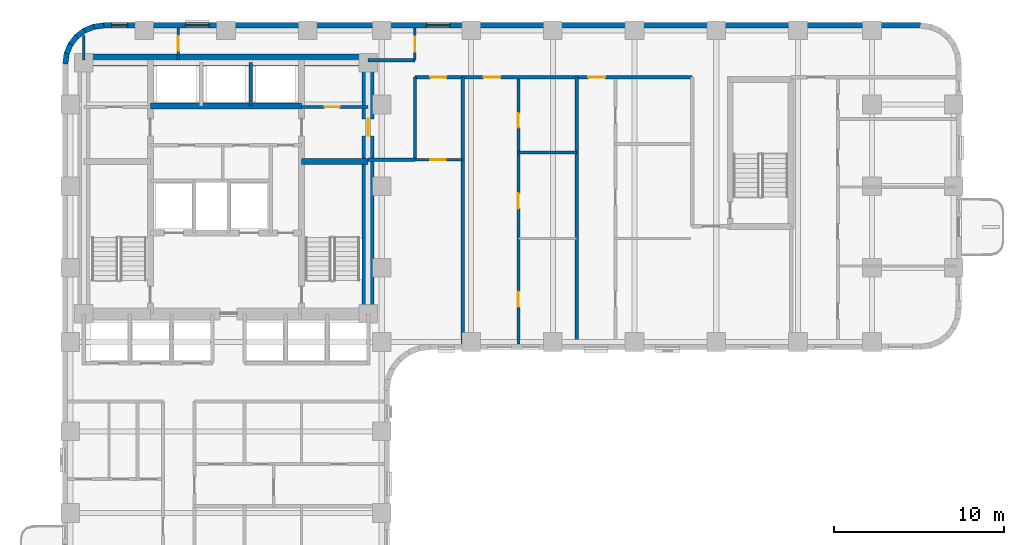
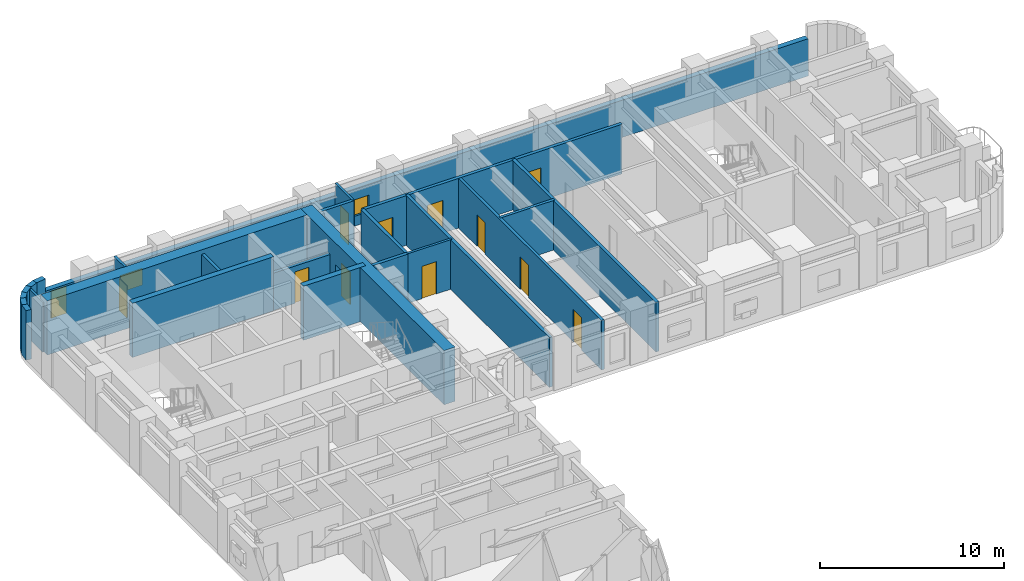
# One storey, part 6 of 11: 25 walls, 11 doors, 3 windows, 14 openings.
"""IFC4 building model written with IfcOpenShell, lengths in metres."""

from ifc_helpers import new_model, si_unit, direction, frame, frame_2d, origin, place, context, subcontext, project, spatial, rectangle, extrude, material, layer, layer_set, type_object, element, fill, save


model = new_model("IFC4")

# Units and contexts
model_context = context("Model", 3, precision=1e-05, world=origin(), true_north=direction((0.0, 1.0)))
body_context = subcontext(model_context, "Body", "Model", "MODEL_VIEW")
ifc_project = project(units=[si_unit("LENGTHUNIT", "METRE"), si_unit("AREAUNIT", "SQUARE_METRE"), si_unit("VOLUMEUNIT", "CUBIC_METRE"), si_unit("PLANEANGLEUNIT", "RADIAN"), si_unit("MASSUNIT", "GRAM", prefix="KILO")], contexts=[model_context])

# Site, building, storey
site_placement = place(None, origin())
site = spatial("IfcSite", under=ifc_project, at=site_placement, CompositionType="ELEMENT")
building_placement = place(site_placement, origin())
building = spatial("IfcBuilding", under=site, at=building_placement, Name="Orvandelia Arch Residences", CompositionType="ELEMENT")
storey_placement = place(building_placement, frame((0.0, 0.0, 93.39990234375)))
storey = spatial("IfcBuildingStorey", under=building, at=storey_placement, Name="L24", CompositionType="ELEMENT", Elevation=93.39990234375)

# Walls
ifc_material_1 = material(Name="Concrete C50/60", Category="concrete")
ifc_layer_1 = layer(ifc_material_1, 0.35009765625, Name="Concrete C50/60", Category="concrete")
ifc_layer_set_1 = layer_set([ifc_layer_1], Name="Concrete C50/60")
wall_type_1 = type_object("IfcWallType", Name="WL-CORE-350", PredefinedType="SHEAR", material=ifc_layer_set_1)
wall_1_placement = place(storey_placement, frame((18.840087890625, 39.85009765625, 0.0), z_axis=(0.0, 0.0, 1.0), x_axis=(1.0, 0.0, 0.0)))
element("IfcWall", 1, at=wall_1_placement, inside=storey, type_object=wall_type_1, Name="Core Shear Wall L24-HZ2", PredefinedType="SHEAR", context=body_context, shape_type="SweptSolid", body=[
    extrude(rectangle(XDim=3.909912109375, YDim=0.35009765625, at=frame_2d((1.955078125, 0.0))), origin(), (0.0, 0.0, 1.0), 3.60009765625),
])
wall_2_placement = place(storey_placement, frame((9.9599609375, 43.10009765625, 0.0), z_axis=(0.0, 0.0, 1.0), x_axis=(1.0, 0.0, 0.0)))
element("IfcWall", 2, at=wall_2_placement, inside=storey, type_object=wall_type_1, Name="Core Shear Wall L24-HZ4", PredefinedType="SHEAR", context=body_context, shape_type="SweptSolid", body=[
    extrude(rectangle(XDim=8.880126953125, YDim=0.35009765625, at=frame_2d((4.43994140625, 0.0))), origin(), (0.0, 0.0, 1.0), 3.60009765625),
])

# Wall, opening, door
ifc_material_2 = material(Name="Concrete C80/95", Category="concrete")
ifc_layer_2 = layer(ifc_material_2, 0.699951171875, Name="Concrete C80/95", Category="concrete")
ifc_layer_set_2 = layer_set([ifc_layer_2], Name="Concrete C80/95")
wall_type_2 = type_object("IfcWallType", Name="WL-CORE-700", PredefinedType="SHEAR", material=ifc_layer_set_2)
wall_3_placement = place(storey_placement, frame((22.75, 30.550048828125, 0.0), z_axis=(0.0, 0.0, 1.0), x_axis=(0.0, 1.0, 0.0)))
wall_3 = element("IfcWall", 3, at=wall_3_placement, inside=storey, type_object=wall_type_2, Name="Core Shear Wall L24-E", PredefinedType="SHEAR", context=body_context, shape_type="SweptSolid", body=[
    extrude(rectangle(XDim=15.599853515625, YDim=0.699951171875, at=frame_2d((7.7998046875, 0.0))), origin(), (0.0, 0.0, 1.0), 3.60009765625),
])
opening_1_placement = place(wall_3_placement, frame((10.800048828125, 0.0, 0.0)))
opening_1 = element("IfcOpeningElement", 4, at=opening_1_placement, cuts=wall_3, Name="Opening D6", PredefinedType="OPENING", context=body_context, shape_type="SweptSolid", body=[
    extrude(rectangle(XDim=1.0, YDim=2.14990234375, at=frame_2d((0.5, 1.074951171875))), frame((0.0, 0.35986328125, 0.0), z_axis=(0.0, -1.0, 0.0), x_axis=(1.0, 0.0, 0.0)), (0.0, 0.0, 1.0), 0.719970703125),
])
ifc_material_3 = material(Name="Smokeproof Painted Steel Fire Door", Category="steel")
door_type_1 = type_object("IfcDoorType", Name="DR-FD60-1000", OperationType="NOTDEFINED", PredefinedType="DOOR", material=ifc_material_3)
door_1_placement = place(opening_1_placement, origin())
door_1 = element("IfcDoor", 5, at=door_1_placement, inside=storey, type_object=door_type_1, Name="Core East Corridor Link Door L24", OperationType="SINGLE_SWING_LEFT", OverallHeight=2.14990234375, OverallWidth=1.0, PredefinedType="DOOR", context=body_context, shape_type="SweptSolid", body=[
    extrude(rectangle(XDim=1.0, YDim=2.14990234375, at=frame_2d((0.5, 1.074951171875))), frame((0.0, 0.02490234375, 0.0), z_axis=(0.0, -1.0, 0.0), x_axis=(1.0, 0.0, 0.0)), (0.0, 0.0, 1.0), 0.050048828125),
])
fill(opening_1, door_1)

# Walls
wall_4_placement = place(storey_placement, frame((6.050048828125, 45.800048828125, 0.0), z_axis=(0.0, 0.0, 1.0), x_axis=(1.0, 0.0, 0.0)))
element("IfcWall", 6, at=wall_4_placement, inside=storey, type_object=wall_type_2, Name="Core Shear Wall L24-N", PredefinedType="SHEAR", context=body_context, shape_type="SweptSolid", body=[
    extrude(rectangle(XDim=16.699951171875, YDim=0.699951171875, at=frame_2d((8.35009765625, 0.0))), origin(), (0.0, 0.0, 1.0), 3.60009765625),
])
ifc_material_4 = material(Name="Fire-Rated Corridor Partition")
ifc_layer_3 = layer(ifc_material_4, 0.199951171875, Name="Fire-Rated Corridor Partition")
ifc_layer_set_3 = layer_set([ifc_layer_3], Name="Fire-Rated Corridor Partition")
wall_type_3 = type_object("IfcWallType", Name="WL-CORR-200", PredefinedType="PARTITIONING", material=ifc_layer_set_3)
wall_5_placement = place(storey_placement, frame((22.75, 45.800048828125, 0.0), z_axis=(0.0, 0.0, 1.0), x_axis=(1.0, 0.0, 0.0)))
element("IfcWall", 7, at=wall_5_placement, inside=storey, type_object=wall_type_3, Name="Interior Partition Wall WL-L24-NCE-S", PredefinedType="PARTITIONING", context=body_context, shape_type="SweptSolid", body=[
    extrude(rectangle(XDim=2.75, YDim=0.199951171875, at=frame_2d((1.375, 0.0))), origin(), (0.0, 0.0, 1.0), 3.300048828125),
])

# Wall, openings, doors
wall_6_placement = place(storey_placement, frame((25.5, 44.800048828125, 0.0), z_axis=(0.0, 0.0, 1.0), x_axis=(1.0, 0.0, 0.0)))
wall_6 = element("IfcWall", 8, at=wall_6_placement, inside=storey, type_object=wall_type_3, Name="Interior Partition Wall WL-L24-EN2-S1", PredefinedType="PARTITIONING", context=body_context, shape_type="SweptSolid", body=[
    extrude(rectangle(XDim=16.280029296875, YDim=0.199951171875, at=frame_2d((8.14013671875, 0.0))), origin(), (0.0, 0.0, 1.0), 3.300048828125),
])
opening_2_placement = place(wall_6_placement, frame((0.89990234375, 0.0, 0.0)))
opening_2 = element("IfcOpeningElement", 9, at=opening_2_placement, cuts=wall_6, Name="Opening D2", PredefinedType="OPENING", context=body_context, shape_type="SweptSolid", body=[
    extrude(rectangle(XDim=0.949951171875, YDim=2.14990234375, at=frame_2d((0.47509765625, 1.074951171875))), frame((0.0, 0.10986328125, 0.0), z_axis=(0.0, -1.0, 0.0), x_axis=(1.0, 0.0, 0.0)), (0.0, 0.0, 1.0), 0.219970703125),
])
opening_3_placement = place(wall_6_placement, frame((4.035400390625, 0.0, 0.0)))
opening_3 = element("IfcOpeningElement", 10, at=opening_3_placement, cuts=wall_6, Name="Opening D1", PredefinedType="OPENING", context=body_context, shape_type="SweptSolid", body=[
    extrude(rectangle(XDim=0.97998046875, YDim=2.179931640625, at=frame_2d((0.489990234375, 1.08984375))), frame((0.0, 0.10986328125, 0.0), z_axis=(0.0, -1.0, 0.0), x_axis=(1.0, 0.0, 0.0)), (0.0, 0.0, 1.0), 0.219970703125),
])
opening_4_placement = place(wall_6_placement, frame((10.18994140625, 0.0, 0.0)))
opening_4 = element("IfcOpeningElement", 11, at=opening_4_placement, cuts=wall_6, Name="Opening D1", PredefinedType="OPENING", context=body_context, shape_type="SweptSolid", body=[
    extrude(rectangle(XDim=0.97998046875, YDim=2.179931640625, at=frame_2d((0.489990234375, 1.08984375))), frame((0.0, 0.10986328125, 0.0), z_axis=(0.0, -1.0, 0.0), x_axis=(1.0, 0.0, 0.0)), (0.0, 0.0, 1.0), 0.219970703125),
])
ifc_material_5 = material(Name="Solid-Core Timber Interior Fire Door", Category="wood")
door_type_2 = type_object("IfcDoorType", Name="DR-APT-950", OperationType="NOTDEFINED", PredefinedType="DOOR", material=ifc_material_5)
door_2_placement = place(opening_2_placement, origin())
door_2 = element("IfcDoor", 12, at=door_2_placement, inside=storey, type_object=door_type_2, Name="DR-L24-EN2KLD", OperationType="SINGLE_SWING_LEFT", OverallHeight=2.14990234375, OverallWidth=0.949951171875, PredefinedType="DOOR", context=body_context, shape_type="SweptSolid", body=[
    extrude(rectangle(XDim=0.949951171875, YDim=2.14990234375, at=frame_2d((0.47509765625, 1.074951171875))), frame((0.0, 0.02490234375, 0.0), z_axis=(0.0, -1.0, 0.0), x_axis=(1.0, 0.0, 0.0)), (0.0, 0.0, 1.0), 0.050048828125),
])
fill(opening_2, door_2)
ifc_material_6 = material(Name="Solid-Core Timber Acoustic Fire Door", Category="wood")
door_type_3 = type_object("IfcDoorType", Name="DR-ENT-980", OperationType="NOTDEFINED", PredefinedType="DOOR", material=ifc_material_6)
door_3_placement = place(opening_3_placement, origin())
door_3 = element("IfcDoor", 13, at=door_3_placement, inside=storey, type_object=door_type_3, Name="Unit L24-06 Entrance Door", OperationType="SINGLE_SWING_RIGHT", OverallHeight=2.179931640625, OverallWidth=0.97998046875, PredefinedType="DOOR", context=body_context, shape_type="SweptSolid", body=[
    extrude(rectangle(XDim=0.97998046875, YDim=2.179931640625, at=frame_2d((0.489990234375, 1.08984375))), frame((0.0, 0.02490234375, 0.0), z_axis=(0.0, -1.0, 0.0), x_axis=(1.0, 0.0, 0.0)), (0.0, 0.0, 1.0), 0.050048828125),
])
fill(opening_3, door_3)
door_4_placement = place(opening_4_placement, origin())
door_4 = element("IfcDoor", 14, at=door_4_placement, inside=storey, type_object=door_type_3, Name="Unit L24-07 Entrance Door", OperationType="SINGLE_SWING_LEFT", OverallHeight=2.179931640625, OverallWidth=0.97998046875, PredefinedType="DOOR", context=body_context, shape_type="SweptSolid", body=[
    extrude(rectangle(XDim=0.97998046875, YDim=2.179931640625, at=frame_2d((0.489990234375, 1.08984375))), frame((0.0, 0.02490234375, 0.0), z_axis=(0.0, -1.0, 0.0), x_axis=(1.0, 0.0, 0.0)), (0.0, 0.0, 1.0), 0.050048828125),
])
fill(opening_4, door_4)

# Walls
wall_7_placement = place(storey_placement, frame((25.5, 39.949951171875, 0.0), z_axis=(0.0, 0.0, 1.0), x_axis=(0.0, 1.0, 0.0)))
element("IfcWall", 15, at=wall_7_placement, inside=storey, type_object=wall_type_3, Name="Interior Partition Wall WL-L24-EN2-LW", PredefinedType="PARTITIONING", context=body_context, shape_type="SweptSolid", body=[
    extrude(rectangle(XDim=4.85009765625, YDim=0.199951171875, at=frame_2d((2.425048828125, 0.0))), origin(), (0.0, 0.0, 1.0), 3.300048828125),
])
wall_8_placement = place(storey_placement, frame((22.75, 39.949951171875, 0.0), z_axis=(0.0, 0.0, 1.0), x_axis=(1.0, 0.0, 0.0)))
element("IfcWall", 16, at=wall_8_placement, inside=storey, type_object=wall_type_3, Name="Interior Partition Wall WL-L24-EN2-LS", PredefinedType="PARTITIONING", context=body_context, shape_type="SweptSolid", body=[
    extrude(rectangle(XDim=2.75, YDim=0.199951171875, at=frame_2d((1.375, 0.0))), origin(), (0.0, 0.0, 1.0), 3.300048828125),
])
ifc_material_7 = material(Name="Concrete C40/50", Category="concrete")
ifc_layer_4 = layer(ifc_material_7, 0.199951171875, Name="Concrete C40/50", Category="concrete")
ifc_layer_set_4 = layer_set([ifc_layer_4], Name="Concrete C40/50")
wall_type_4 = type_object("IfcWallType", Name="WL-DEM-200", PredefinedType="SOLIDWALL", material=ifc_layer_set_4)
for number, where, z_axis, x_axis, name in (
    (17, (28.300048828125, 29.1201171875, 0.0), (0.0, 0.0, 1.0), (0.0, 1.0, 0.0), "Interior Partition Wall WL-L24-EN2-KLE"),
    (18, (35.0, 29.1201171875, 0.0), (0.0, 0.0, 1.0), (0.0, 1.0, 0.0), "Interior Partition Wall WL-L24-DEM-EN2-350"),
):
    element("IfcWall", number, at=place(storey_placement, frame(where, z_axis=z_axis, x_axis=x_axis)), inside=storey, type_object=wall_type_4, Name=name, PredefinedType="SOLIDWALL", context=body_context, shape_type="SweptSolid", body=[
        extrude(rectangle(XDim=15.679931640625, YDim=0.199951171875, at=frame_2d((7.83984375, 0.0))), origin(), (0.0, 0.0, 1.0), 3.300048828125),
    ])
ifc_material_8 = material(Name="Precast concrete C40/50", Category="concrete")
ifc_layer_5 = layer(ifc_material_8, 0.320068359375, Name="Precast concrete C40/50", Category="concrete")
ifc_layer_set_5 = layer_set([ifc_layer_5], Name="Precast concrete C40/50")
wall_type_5 = type_object("IfcWallType", Name="WL-EXT-STONE-320", PredefinedType="STANDARD", material=ifc_layer_set_5)
for number, where, z_axis, x_axis, name in (
    (19, (4.95849609375, 45.5791015625, 0.0), (0.0, 0.0, 1.0), (0.130555323746, 0.9914410257, 0.0), "Coral-Limestone Precast Facade Wall L24-001"),
    (20, (5.029541015625, 46.159912109375, 0.0), (0.0, 0.0, 1.0), (0.382650053678, 0.92389335771, 0.0), "Coral-Limestone Precast Facade Wall L24-002"),
):
    element("IfcWall", number, at=place(storey_placement, frame(where, z_axis=z_axis, x_axis=x_axis)), inside=storey, type_object=wall_type_5, Name=name, PredefinedType="STANDARD", context=body_context, shape_type="SweptSolid", body=[
        extrude(rectangle(XDim=0.62646484375, YDim=0.320068359375, at=frame_2d((0.313232421875, 0.0))), origin(), (0.0, 0.0, 1.0), 3.300048828125),
    ])
wall_9_placement = place(storey_placement, frame((5.248291015625, 46.70263671875, 0.0), z_axis=(0.0, 0.0, 1.0), x_axis=(0.608938521285, 0.7932174212, 0.0)))
element("IfcWall", 21, at=wall_9_placement, inside=storey, type_object=wall_type_5, Name="Coral-Limestone Precast Facade Wall L24-003", PredefinedType="STANDARD", context=body_context, shape_type="SweptSolid", body=[
    extrude(rectangle(XDim=0.626708984375, YDim=0.320068359375, at=frame_2d((0.3134765625, 0.0))), origin(), (0.0, 0.0, 1.0), 3.300048828125),
])
wall_10_placement = place(storey_placement, frame((5.600341796875, 47.170166015625, 0.0), z_axis=(0.0, 0.0, 1.0), x_axis=(0.793405610854, 0.608693302629, 0.0)))
element("IfcWall", 22, at=wall_10_placement, inside=storey, type_object=wall_type_5, Name="Coral-Limestone Precast Facade Wall L24-004", PredefinedType="STANDARD", context=body_context, shape_type="SweptSolid", body=[
    extrude(rectangle(XDim=0.62646484375, YDim=0.320068359375, at=frame_2d((0.313232421875, 0.0))), origin(), (0.0, 0.0, 1.0), 3.300048828125),
])
wall_11_placement = place(storey_placement, frame((6.061279296875, 47.53076171875, 0.0), z_axis=(0.0, 0.0, 1.0), x_axis=(0.923836271867, 0.382787856107, 0.0)))
element("IfcWall", 23, at=wall_11_placement, inside=storey, type_object=wall_type_5, Name="Coral-Limestone Precast Facade Wall L24-005", PredefinedType="STANDARD", context=body_context, shape_type="SweptSolid", body=[
    extrude(rectangle(XDim=0.626220703125, YDim=0.320068359375, at=frame_2d((0.31298828125, 0.0))), origin(), (0.0, 0.0, 1.0), 3.300048828125),
])
wall_12_placement = place(storey_placement, frame((6.599609375, 47.759521484375, 0.0), z_axis=(0.0, 0.0, 1.0), x_axis=(0.991447664465, 0.130504898859, 0.0)))
element("IfcWall", 24, at=wall_12_placement, inside=storey, type_object=wall_type_5, Name="Coral-Limestone Precast Facade Wall L24-006", PredefinedType="STANDARD", context=body_context, shape_type="SweptSolid", body=[
    extrude(rectangle(XDim=0.626708984375, YDim=0.320068359375, at=frame_2d((0.3134765625, 0.0))), origin(), (0.0, 0.0, 1.0), 3.300048828125),
])

# Wall, openings, windows
wall_13_placement = place(storey_placement, frame((7.199951171875, 47.840087890625, 0.0), z_axis=(0.0, 0.0, 1.0), x_axis=(1.0, 0.0, 0.0)))
wall_13 = element("IfcWall", 25, at=wall_13_placement, inside=storey, type_object=wall_type_5, Name="Coral-Limestone Precast Facade Wall L24-007", PredefinedType="STANDARD", context=body_context, shape_type="SweptSolid", body=[
    extrude(rectangle(XDim=48.0, YDim=0.320068359375, at=frame_2d((24.0, 0.0))), origin(), (0.0, 0.0, 1.0), 2.47998046875),
])
opening_5_placement = place(wall_13_placement, frame((18.965087890625, 0.0, 0.64990234375)))
opening_5 = element("IfcOpeningElement", 26, at=opening_5_placement, cuts=wall_13, Name="Opening W10", PredefinedType="OPENING", context=body_context, shape_type="SweptSolid", body=[
    extrude(rectangle(XDim=1.39990234375, YDim=1.10009765625, at=frame_2d((0.699951171875, 0.550048828125))), frame((0.0, 0.169921875, 0.0), z_axis=(0.0, -1.0, 0.0), x_axis=(1.0, 0.0, 0.0)), (0.0, 0.0, 1.0), 0.340087890625),
])
opening_6_placement = place(wall_13_placement, frame((0.469970703125, 0.0, 0.449951171875)))
opening_6 = element("IfcOpeningElement", 27, at=opening_6_placement, cuts=wall_13, Name="Opening W4", PredefinedType="OPENING", context=body_context, shape_type="SweptSolid", body=[
    extrude(rectangle(XDim=0.949951171875, YDim=1.800048828125, at=frame_2d((0.47509765625, 0.89990234375))), frame((0.0, 0.169921875, 0.0), z_axis=(0.0, -1.0, 0.0), x_axis=(1.0, 0.0, 0.0)), (0.0, 0.0, 1.0), 0.340087890625),
])
opening_7_placement = place(wall_13_placement, frame((4.81494140625, 0.0, 0.64990234375)))
opening_7 = element("IfcOpeningElement", 28, at=opening_7_placement, cuts=wall_13, Name="Opening W10", PredefinedType="OPENING", context=body_context, shape_type="SweptSolid", body=[
    extrude(rectangle(XDim=1.39990234375, YDim=1.10009765625, at=frame_2d((0.699951171875, 0.550048828125))), frame((0.0, 0.169921875, 0.0), z_axis=(0.0, -1.0, 0.0), x_axis=(1.0, 0.0, 0.0)), (0.0, 0.0, 1.0), 0.340087890625),
])
ifc_material_9 = material(Name="Tempered Low-E Insulated Glazing", Category="glass")
window_type_1 = type_object("IfcWindowType", Name="WIN-CLR-1400x1100", PartitioningType="SINGLE_PANEL", PredefinedType="WINDOW", material=ifc_material_9)
window_1_placement = place(opening_5_placement, origin())
window_1 = element("IfcWindow", 29, at=window_1_placement, inside=storey, type_object=window_type_1, Name="Recessed Punched Window L24-001", OverallHeight=1.10009765625, OverallWidth=1.39990234375, PartitioningType="SINGLE_PANEL", PredefinedType="WINDOW", context=body_context, shape_type="SweptSolid", body=[
    extrude(rectangle(XDim=1.39990234375, YDim=1.10009765625, at=frame_2d((0.699951171875, 0.550048828125))), frame((0.0, 0.030029296875, 0.0), z_axis=(0.0, -1.0, 0.0), x_axis=(1.0, 0.0, 0.0)), (0.0, 0.0, 1.0), 0.06005859375),
])
fill(opening_5, window_1)
window_2_placement = place(opening_7_placement, origin())
window_2 = element("IfcWindow", 30, at=window_2_placement, inside=storey, type_object=window_type_1, Name="Recessed Punched Window L24-003", OverallHeight=1.10009765625, OverallWidth=1.39990234375, PartitioningType="SINGLE_PANEL", PredefinedType="WINDOW", context=body_context, shape_type="SweptSolid", body=[
    extrude(rectangle(XDim=1.39990234375, YDim=1.10009765625, at=frame_2d((0.699951171875, 0.550048828125))), frame((0.0, 0.030029296875, 0.0), z_axis=(0.0, -1.0, 0.0), x_axis=(1.0, 0.0, 0.0)), (0.0, 0.0, 1.0), 0.06005859375),
])
fill(opening_7, window_2)
window_type_2 = type_object("IfcWindowType", Name="WIN-RES-0950x1800", PartitioningType="SINGLE_PANEL", PredefinedType="WINDOW", material=ifc_material_9)
window_3_placement = place(opening_6_placement, origin())
window_3 = element("IfcWindow", 31, at=window_3_placement, inside=storey, type_object=window_type_2, Name="Recessed Punched Window L24-002", OverallHeight=1.800048828125, OverallWidth=0.949951171875, PartitioningType="SINGLE_PANEL", PredefinedType="WINDOW", context=body_context, shape_type="SweptSolid", body=[
    extrude(rectangle(XDim=0.949951171875, YDim=1.800048828125, at=frame_2d((0.47509765625, 0.89990234375))), frame((0.0, 0.030029296875, 0.0), z_axis=(0.0, -1.0, 0.0), x_axis=(1.0, 0.0, 0.0)), (0.0, 0.0, 1.0), 0.06005859375),
])
fill(opening_6, window_3)

# Wall, opening, door
ifc_material_10 = material(Name="Acoustic Gypsum Stud Partition")
ifc_layer_6 = layer(ifc_material_10, 0.14990234375, Name="Acoustic Gypsum Stud Partition")
ifc_layer_set_6 = layer_set([ifc_layer_6], Name="Acoustic Gypsum Stud Partition")
wall_type_6 = type_object("IfcWallType", Name="WL-PART-150", PredefinedType="PARTITIONING", material=ifc_layer_set_6)
wall_14_placement = place(storey_placement, frame((25.5, 45.800048828125, 0.0), z_axis=(0.0, 0.0, 1.0), x_axis=(0.0, 1.0, 0.0)))
wall_14 = element("IfcWall", 32, at=wall_14_placement, inside=storey, type_object=wall_type_6, Name="Interior Partition Wall WL-L24-NCE-W", PredefinedType="PARTITIONING", context=body_context, shape_type="SweptSolid", body=[
    extrude(rectangle(XDim=1.8798828125, YDim=0.14990234375, at=frame_2d((0.93994140625, 0.0))), origin(), (0.0, 0.0, 1.0), 3.300048828125),
])
opening_8_placement = place(wall_14_placement, frame((0.5, 0.0, 0.0)))
opening_8 = element("IfcOpeningElement", 33, at=opening_8_placement, cuts=wall_14, Name="Opening D5", PredefinedType="OPENING", context=body_context, shape_type="SweptSolid", body=[
    extrude(rectangle(XDim=0.8798828125, YDim=2.10009765625, at=frame_2d((0.43994140625, 1.050048828125))), frame((0.0, 0.0849609375, 0.0), z_axis=(0.0, -1.0, 0.0), x_axis=(1.0, 0.0, 0.0)), (0.0, 0.0, 1.0), 0.169921875),
])
ifc_material_11 = material(Name="Painted Galvanised Steel Service Door", Category="steel")
door_type_4 = type_object("IfcDoorType", Name="DR-SRV-880", OperationType="NOTDEFINED", PredefinedType="DOOR", material=ifc_material_11)
door_5_placement = place(opening_8_placement, origin())
door_5 = element("IfcDoor", 34, at=door_5_placement, inside=storey, type_object=door_type_4, Name="DR-L24-NCS2", OperationType="SINGLE_SWING_LEFT", OverallHeight=2.10009765625, OverallWidth=0.8798828125, PredefinedType="DOOR", context=body_context, shape_type="SweptSolid", body=[
    extrude(rectangle(XDim=0.8798828125, YDim=2.10009765625, at=frame_2d((0.43994140625, 1.050048828125))), frame((0.0, 0.02490234375, 0.0), z_axis=(0.0, -1.0, 0.0), x_axis=(1.0, 0.0, 0.0)), (0.0, 0.0, 1.0), 0.050048828125),
])
fill(opening_8, door_5)

# Wall
wall_15_placement = place(storey_placement, frame((6.050048828125, 45.800048828125, 0.0), z_axis=(0.0, 0.0, 1.0), x_axis=(0.0, 1.0, 0.0)))
element("IfcWall", 35, at=wall_15_placement, inside=storey, type_object=wall_type_6, Name="Interior Partition Wall WL-L24-NC-W6", PredefinedType="PARTITIONING", context=body_context, shape_type="SweptSolid", body=[
    extrude(rectangle(XDim=1.4599609375, YDim=0.14990234375, at=frame_2d((0.72998046875, 0.0))), origin(), (0.0, 0.0, 1.0), 3.300048828125),
])

# Wall, opening, door
wall_16_placement = place(storey_placement, frame((11.60009765625, 45.800048828125, 0.0), z_axis=(0.0, 0.0, 1.0), x_axis=(0.0, 1.0, 0.0)))
wall_16 = element("IfcWall", 36, at=wall_16_placement, inside=storey, type_object=wall_type_6, Name="Interior Partition Wall WL-L24-NC-M", PredefinedType="PARTITIONING", context=body_context, shape_type="SweptSolid", body=[
    extrude(rectangle(XDim=1.8798828125, YDim=0.14990234375, at=frame_2d((0.93994140625, 0.0))), origin(), (0.0, 0.0, 1.0), 3.300048828125),
])
opening_9_placement = place(wall_16_placement, frame((0.550048828125, 0.0, 0.0)))
opening_9 = element("IfcOpeningElement", 37, at=opening_9_placement, cuts=wall_16, Name="Opening D4", PredefinedType="OPENING", context=body_context, shape_type="SweptSolid", body=[
    extrude(rectangle(XDim=0.860107421875, YDim=2.10009765625, at=frame_2d((0.43017578125, 1.050048828125))), frame((0.0, 0.0849609375, 0.0), z_axis=(0.0, -1.0, 0.0), x_axis=(1.0, 0.0, 0.0)), (0.0, 0.0, 1.0), 0.169921875),
])
ifc_material_12 = material(Name="Moisture-Sealed Timber Bathroom Door", Category="wood")
door_type_5 = type_object("IfcDoorType", Name="DR-WET-900", OperationType="NOTDEFINED", PredefinedType="DOOR", material=ifc_material_12)
door_6_placement = place(opening_9_placement, origin())
door_6 = element("IfcDoor", 38, at=door_6_placement, inside=storey, type_object=door_type_5, Name="DR-L24-NCS1", OperationType="SINGLE_SWING_LEFT", OverallHeight=2.10009765625, OverallWidth=0.860107421875, PredefinedType="DOOR", context=body_context, shape_type="SweptSolid", body=[
    extrude(rectangle(XDim=0.860107421875, YDim=2.10009765625, at=frame_2d((0.43017578125, 1.050048828125))), frame((0.0, 0.02490234375, 0.0), z_axis=(0.0, -1.0, 0.0), x_axis=(1.0, 0.0, 0.0)), (0.0, 0.0, 1.0), 0.050048828125),
])
fill(opening_9, door_6)

wall_17_placement = place(storey_placement, frame((25.5, 39.949951171875, 0.0), z_axis=(0.0, 0.0, 1.0), x_axis=(1.0, 0.0, 0.0)))
wall_17 = element("IfcWall", 39, at=wall_17_placement, inside=storey, type_object=wall_type_6, Name="Interior Partition Wall WL-L24-EN2-KLN", PredefinedType="PARTITIONING", context=body_context, shape_type="SweptSolid", body=[
    extrude(rectangle(XDim=2.800048828125, YDim=0.14990234375, at=frame_2d((1.39990234375, 0.0))), origin(), (0.0, 0.0, 1.0), 3.300048828125),
])
opening_10_placement = place(wall_17_placement, frame((0.89990234375, 0.0, 0.0)))
opening_10 = element("IfcOpeningElement", 40, at=opening_10_placement, cuts=wall_17, Name="Opening D3", PredefinedType="OPENING", context=body_context, shape_type="SweptSolid", body=[
    extrude(rectangle(XDim=0.89990234375, YDim=2.14990234375, at=frame_2d((0.449951171875, 1.074951171875))), frame((0.0, 0.0849609375, 0.0), z_axis=(0.0, -1.0, 0.0), x_axis=(1.0, 0.0, 0.0)), (0.0, 0.0, 1.0), 0.169921875),
])
ifc_material_13 = material(Name="Engineered Timber Flush Door", Category="wood")
door_type_6 = type_object("IfcDoorType", Name="DR-INT-900", OperationType="NOTDEFINED", PredefinedType="DOOR", material=ifc_material_13)
door_7_placement = place(opening_10_placement, origin())
door_7 = element("IfcDoor", 41, at=door_7_placement, inside=storey, type_object=door_type_6, Name="DR-L24-EN2KNK", OperationType="SINGLE_SWING_RIGHT", OverallHeight=2.14990234375, OverallWidth=0.89990234375, PredefinedType="DOOR", context=body_context, shape_type="SweptSolid", body=[
    extrude(rectangle(XDim=0.89990234375, YDim=2.14990234375, at=frame_2d((0.449951171875, 1.074951171875))), frame((0.0, 0.02490234375, 0.0), z_axis=(0.0, -1.0, 0.0), x_axis=(1.0, 0.0, 0.0)), (0.0, 0.0, 1.0), 0.050048828125),
])
fill(opening_10, door_7)

ifc_material_14 = material(Name="Fire-Rated Shaft Enclosure Wall")
ifc_layer_7 = layer(ifc_material_14, 0.199951171875, Name="Fire-Rated Shaft Enclosure Wall")
ifc_layer_set_7 = layer_set([ifc_layer_7], Name="Fire-Rated Shaft Enclosure Wall")
wall_type_7 = type_object("IfcWallType", Name="WL-SHAFT-200", PredefinedType="POLYGONAL", material=ifc_layer_set_7)
wall_18_placement = place(storey_placement, frame((18.840087890625, 43.050048828125, 0.0), z_axis=(0.0, 0.0, 1.0), x_axis=(1.0, 0.0, 0.0)))
wall_18 = element("IfcWall", 42, at=wall_18_placement, inside=storey, type_object=wall_type_7, Name="Interior Partition Wall WL-L24-HLE-N", PredefinedType="POLYGONAL", context=body_context, shape_type="SweptSolid", body=[
    extrude(rectangle(XDim=3.909912109375, YDim=0.199951171875, at=frame_2d((1.955078125, 0.0))), origin(), (0.0, 0.0, 1.0), 2.47998046875),
])
opening_11_placement = place(wall_18_placement, frame((1.35009765625, 0.0, 0.0)))
opening_11 = element("IfcOpeningElement", 43, at=opening_11_placement, cuts=wall_18, Name="Opening D5", PredefinedType="OPENING", context=body_context, shape_type="SweptSolid", body=[
    extrude(rectangle(XDim=0.8798828125, YDim=2.10009765625, at=frame_2d((0.43994140625, 1.050048828125))), frame((0.0, 0.10986328125, 0.0), z_axis=(0.0, -1.0, 0.0), x_axis=(1.0, 0.0, 0.0)), (0.0, 0.0, 1.0), 0.219970703125),
])
door_8_placement = place(opening_11_placement, origin())
door_8 = element("IfcDoor", 44, at=door_8_placement, inside=storey, type_object=door_type_4, Name="DR-L24-CSB1", OperationType="SINGLE_SWING_LEFT", OverallHeight=2.10009765625, OverallWidth=0.8798828125, PredefinedType="DOOR", context=body_context, shape_type="SweptSolid", body=[
    extrude(rectangle(XDim=0.8798828125, YDim=2.10009765625, at=frame_2d((0.43994140625, 1.050048828125))), frame((0.0, 0.02490234375, 0.0), z_axis=(0.0, -1.0, 0.0), x_axis=(1.0, 0.0, 0.0)), (0.0, 0.0, 1.0), 0.050048828125),
])
fill(opening_11, door_8)

# Wall
wall_19_placement = place(storey_placement, frame((15.85009765625, 43.10009765625, 0.0), z_axis=(0.0, 0.0, 1.0), x_axis=(0.0, 1.0, 0.0)))
element("IfcWall", 45, at=wall_19_placement, inside=storey, type_object=wall_type_7, Name="Interior Partition Wall WL-L24-PHD2", PredefinedType="POLYGONAL", context=body_context, shape_type="SweptSolid", body=[
    extrude(rectangle(XDim=2.5498046875, YDim=0.199951171875, at=frame_2d((1.27490234375, 0.0))), origin(), (0.0, 0.0, 1.0), 3.300048828125),
])

# Wall, openings, doors
ifc_material_15 = material(Name="Moisture-Resistant Plumbing Wall")
ifc_layer_8 = layer(ifc_material_15, 0.179931640625, Name="Moisture-Resistant Plumbing Wall")
ifc_layer_set_8 = layer_set([ifc_layer_8], Name="Moisture-Resistant Plumbing Wall")
wall_type_8 = type_object("IfcWallType", Name="WL-WET-180", PredefinedType="PLUMBINGWALL", material=ifc_layer_set_8)
wall_20_placement = place(storey_placement, frame((31.571044921875, 29.1201171875, 0.0), z_axis=(0.0, 0.0, 1.0), x_axis=(0.0, 1.0, 0.0)))
wall_20 = element("IfcWall", 46, at=wall_20_placement, inside=storey, type_object=wall_type_8, Name="Interior Partition Wall WL-L24-U06-VT", PredefinedType="PLUMBINGWALL", context=body_context, shape_type="SweptSolid", body=[
    extrude(rectangle(XDim=15.579833984375, YDim=0.179931640625, at=frame_2d((7.7900390625, 0.0))), origin(), (0.0, 0.0, 1.0), 3.300048828125),
])
opening_12_placement = place(wall_20_placement, frame((2.1826171875, 0.0, 0.0)))
opening_12 = element("IfcOpeningElement", 47, at=opening_12_placement, cuts=wall_20, Name="Opening D3", PredefinedType="OPENING", context=body_context, shape_type="SweptSolid", body=[
    extrude(rectangle(XDim=0.89990234375, YDim=2.14990234375, at=frame_2d((0.449951171875, 1.074951171875))), frame((0.0, 0.10009765625, 0.0), z_axis=(0.0, -1.0, 0.0), x_axis=(1.0, 0.0, 0.0)), (0.0, 0.0, 1.0), 0.199951171875),
])
opening_13_placement = place(wall_20_placement, frame((7.958740234375, 0.0, 0.0)))
opening_13 = element("IfcOpeningElement", 48, at=opening_13_placement, cuts=wall_20, Name="Opening D3", PredefinedType="OPENING", context=body_context, shape_type="SweptSolid", body=[
    extrude(rectangle(XDim=0.89990234375, YDim=2.14990234375, at=frame_2d((0.449951171875, 1.074951171875))), frame((0.0, 0.10009765625, 0.0), z_axis=(0.0, -1.0, 0.0), x_axis=(1.0, 0.0, 0.0)), (0.0, 0.0, 1.0), 0.199951171875),
])
opening_14_placement = place(wall_20_placement, frame((12.710693359375, 0.0, 0.0)))
opening_14 = element("IfcOpeningElement", 49, at=opening_14_placement, cuts=wall_20, Name="Opening D4", PredefinedType="OPENING", context=body_context, shape_type="SweptSolid", body=[
    extrude(rectangle(XDim=0.860107421875, YDim=2.10009765625, at=frame_2d((0.43017578125, 1.050048828125))), frame((0.0, 0.10009765625, 0.0), z_axis=(0.0, -1.0, 0.0), x_axis=(1.0, 0.0, 0.0)), (0.0, 0.0, 1.0), 0.199951171875),
])
door_9_placement = place(opening_12_placement, origin())
door_9 = element("IfcDoor", 50, at=door_9_placement, inside=storey, type_object=door_type_6, Name="DR-L24-U06-BD1", OperationType="SINGLE_SWING_RIGHT", OverallHeight=2.14990234375, OverallWidth=0.89990234375, PredefinedType="DOOR", context=body_context, shape_type="SweptSolid", body=[
    extrude(rectangle(XDim=0.89990234375, YDim=2.14990234375, at=frame_2d((0.449951171875, 1.074951171875))), frame((0.0, 0.02490234375, 0.0), z_axis=(0.0, -1.0, 0.0), x_axis=(1.0, 0.0, 0.0)), (0.0, 0.0, 1.0), 0.050048828125),
])
fill(opening_12, door_9)
door_10_placement = place(opening_13_placement, origin())
door_10 = element("IfcDoor", 51, at=door_10_placement, inside=storey, type_object=door_type_6, Name="DR-L24-U06-KIT", OperationType="SINGLE_SWING_LEFT", OverallHeight=2.14990234375, OverallWidth=0.89990234375, PredefinedType="DOOR", context=body_context, shape_type="SweptSolid", body=[
    extrude(rectangle(XDim=0.89990234375, YDim=2.14990234375, at=frame_2d((0.449951171875, 1.074951171875))), frame((0.0, 0.02490234375, 0.0), z_axis=(0.0, -1.0, 0.0), x_axis=(1.0, 0.0, 0.0)), (0.0, 0.0, 1.0), 0.050048828125),
])
fill(opening_13, door_10)
door_11_placement = place(opening_14_placement, origin())
door_11 = element("IfcDoor", 52, at=door_11_placement, inside=storey, type_object=door_type_5, Name="DR-L24-U06-BTH", OperationType="SINGLE_SWING_RIGHT", OverallHeight=2.10009765625, OverallWidth=0.860107421875, PredefinedType="DOOR", context=body_context, shape_type="SweptSolid", body=[
    extrude(rectangle(XDim=0.860107421875, YDim=2.10009765625, at=frame_2d((0.43017578125, 1.050048828125))), frame((0.0, 0.02490234375, 0.0), z_axis=(0.0, -1.0, 0.0), x_axis=(1.0, 0.0, 0.0)), (0.0, 0.0, 1.0), 0.050048828125),
])
fill(opening_14, door_11)

# Wall
wall_21_placement = place(storey_placement, frame((31.571044921875, 40.383056640625, 0.0), z_axis=(0.0, 0.0, 1.0), x_axis=(1.0, 0.0, 0.0)))
element("IfcWall", 53, at=wall_21_placement, inside=storey, type_object=wall_type_8, Name="Interior Partition Wall WL-L24-U06-H2", PredefinedType="PLUMBINGWALL", context=body_context, shape_type="SweptSolid", body=[
    extrude(rectangle(XDim=3.428955078125, YDim=0.179931640625, at=frame_2d((1.71435546875, 0.0))), origin(), (0.0, 0.0, 1.0), 3.300048828125),
])

save(model, "model.ifc")
